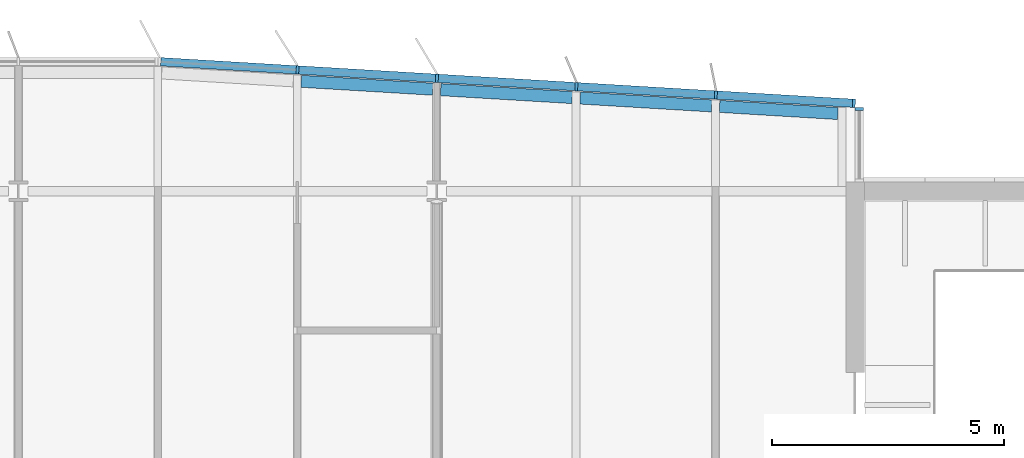
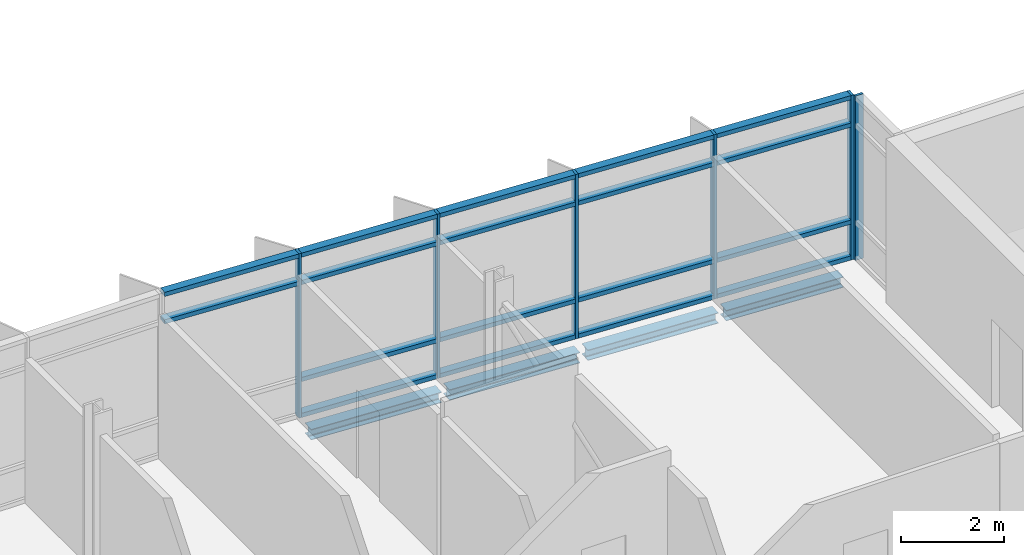
# One storey, part 9 of 18: 24 members, 4 beams, 2 elements without a shape of their own.
"""IFC4 building model written with IfcOpenShell, lengths in metres."""

from ifc_helpers import new_model, si_unit, direction, frame, origin, origin_2d, place, context, subcontext, project, spatial, rectangle, i_section, extrude, material, material_profile, profile_set, type_object, element, aggregate, save


model = new_model("IFC4")

# Units and contexts
model_context = context("Model", 3, precision=1e-05, world=origin(), true_north=direction((0.0, 1.0)))
body_context = subcontext(model_context, "Body", "Model", "MODEL_VIEW")
ifc_project = project(units=[si_unit("LENGTHUNIT", "METRE"), si_unit("AREAUNIT", "SQUARE_METRE"), si_unit("VOLUMEUNIT", "CUBIC_METRE"), si_unit("PLANEANGLEUNIT", "RADIAN"), si_unit("MASSUNIT", "GRAM", prefix="KILO")], contexts=[model_context])

# Site, building, storey
site_placement = place(None, origin())
site = spatial("IfcSite", under=ifc_project, at=site_placement, CompositionType="ELEMENT")
building_placement = place(site_placement, origin())
building = spatial("IfcBuilding", under=site, at=building_placement, Name="Azimuth Sports and Learning Centre", CompositionType="ELEMENT")
storey_placement = place(building_placement, frame((0.0, 0.0, 59.699951171875)))
storey = spatial("IfcBuildingStorey", under=building, at=storey_placement, Name="L13", CompositionType="ELEMENT", Elevation=59.699951171875)

# Beams
ifc_material_1 = material(Name="Steel S355", Category="steel")
ifc_material_profile_1 = material_profile(ifc_material_1, i_section(OverallWidth=0.260009765625, OverallDepth=0.25, WebThickness=0.007568359375, FlangeThickness=0.012451171875, FilletRadius=0.02392578125, at=origin_2d()), Name="HEA 260")
ifc_profile_set_1 = profile_set([ifc_material_profile_1], Name="Steel S355")
beam_type = type_object("IfcBeamType", Name="Edge beam HEA 260", PredefinedType="SPANDREL", material=ifc_profile_set_1)
for number, where, z_axis, x_axis, name in (
    (1, (96.0849609375, 119.364990234375, -0.2548828125), (0.998202373506, -0.059933475842, 0.0), (0.059933475842, 0.998202373506, 0.0), "Tower edge beam"),
    (2, (99.0849609375, 119.184814453125, -0.2548828125), (0.998207521518, -0.059847673176, 0.0), (0.059847673176, 0.998207521518, 0.0), "Tower edge beam"),
    (3, (102.0849609375, 119.0048828125, -0.2548828125), (0.998207521518, -0.059847673176, 0.0), (0.059847673176, 0.998207521518, 0.0), "Tower edge beam"),
):
    element("IfcBeam", number, at=place(storey_placement, frame(where, z_axis=z_axis, x_axis=x_axis)), inside=storey, type_object=beam_type, Name=name, PredefinedType="SPANDREL", context=body_context, shape_type="SweptSolid", body=[
        extrude(i_section(OverallWidth=0.260009765625, OverallDepth=0.25, WebThickness=0.007568359375, FlangeThickness=0.012451171875, FilletRadius=0.02392578125, at=origin_2d()), origin(), (0.0, 0.0, 1.0), 2.835205078125),
    ])
beam_placement = place(storey_placement, frame((105.0849609375, 118.824951171875, -0.2548828125), z_axis=(0.998201638043, -0.05994572385, 0.0), x_axis=(0.05994572385, 0.998201638043, 0.0)))
element("IfcBeam", 4, at=beam_placement, inside=storey, type_object=beam_type, Name="Tower edge beam", PredefinedType="SPANDREL", context=body_context, shape_type="SweptSolid", body=[
    extrude(i_section(OverallWidth=0.260009765625, OverallDepth=0.25, WebThickness=0.007568359375, FlangeThickness=0.012451171875, FilletRadius=0.02392578125, at=origin_2d()), origin(), (0.0, 0.0, 1.0), 2.549560546875),
])

# Curtain wall, member
ifc_material_2 = material(Name="Aluminium and glass", Category="aluminium")
curtain_wall_type_1 = type_object("IfcCurtainWallType", Name="Curtain wall tower return 180", PredefinedType="NOTDEFINED", material=ifc_material_2)
curtain_wall_1_placement = place(storey_placement, origin())
curtain_wall_1 = element("IfcCurtainWall", 5, at=curtain_wall_1_placement, inside=storey, type_object=curtain_wall_type_1, Name="Curtain wall CW13-006", PredefinedType="NOTDEFINED")
ifc_material_3 = material(Name="Aluminium", Category="aluminium")
ifc_material_profile_2 = material_profile(ifc_material_3, rectangle(XDim=0.179931640625, YDim=0.06005859375, at=origin_2d()), Name="Mullion 60x180")
ifc_profile_set_2 = profile_set([ifc_material_profile_2], Name="Aluminium")
member_type_1 = type_object("IfcMemberType", Name="Mullion 60x180", PredefinedType="MULLION", material=ifc_profile_set_2)
member_1_placement = place(storey_placement, frame((108.090087890625, 118.77001953125, 0.0), z_axis=(0.0, 0.0, 1.0), x_axis=(-1.0, 0.0, 0.0)))
member_1 = element("IfcMember", 6, at=member_1_placement, type_object=member_type_1, Name="CW13-006 mullion 2", PredefinedType="MULLION", context=body_context, shape_type="SweptSolid", body=[
    extrude(rectangle(XDim=0.179931640625, YDim=0.06005859375, at=origin_2d()), origin(), (0.0, 0.0, 1.0), 3.900146484375),
])
aggregate(curtain_wall_1, [member_1])

# Curtain wall, members
ifc_material_4 = material(Name="Aluminium and glass", Category="aluminium")
curtain_wall_type_2 = type_object("IfcCurtainWallType", Name="Curtain wall tower north 180", PredefinedType="NOTDEFINED", material=ifc_material_4)
curtain_wall_2_placement = place(storey_placement, origin())
curtain_wall_2 = element("IfcCurtainWall", 7, at=curtain_wall_2_placement, inside=storey, type_object=curtain_wall_type_2, Name="Curtain wall CW13-007", PredefinedType="NOTDEFINED")
member_2_placement = place(storey_placement, frame((107.975341796875, 118.8916015625, 0.0), z_axis=(0.0, 0.0, 1.0), x_axis=(-0.059891991812, -0.998204863401, 0.0)))
member_2 = element("IfcMember", 8, at=member_2_placement, type_object=member_type_1, Name="CW13-007 mullion 1", PredefinedType="MULLION", context=body_context, shape_type="SweptSolid", body=[
    extrude(rectangle(XDim=0.179931640625, YDim=0.06005859375, at=origin_2d()), origin(), (0.0, 0.0, 1.0), 3.900146484375),
])
member_3_placement = place(storey_placement, frame((105.00537109375, 119.06982421875, 0.0), z_axis=(0.0, 0.0, 1.0), x_axis=(-0.059891991812, -0.998204863401, 0.0)))
member_3 = element("IfcMember", 9, at=member_3_placement, type_object=member_type_1, Name="CW13-007 mullion 2", PredefinedType="MULLION", context=body_context, shape_type="SweptSolid", body=[
    extrude(rectangle(XDim=0.179931640625, YDim=0.06005859375, at=origin_2d()), origin(), (0.0, 0.0, 1.0), 3.900146484375),
])
member_4_placement = place(storey_placement, frame((102.00537109375, 119.249755859375, 0.0), z_axis=(0.0, 0.0, 1.0), x_axis=(-0.059891991812, -0.998204863401, 0.0)))
member_4 = element("IfcMember", 10, at=member_4_placement, type_object=member_type_1, Name="CW13-007 mullion 3", PredefinedType="MULLION", context=body_context, shape_type="SweptSolid", body=[
    extrude(rectangle(XDim=0.179931640625, YDim=0.06005859375, at=origin_2d()), origin(), (0.0, 0.0, 1.0), 3.900146484375),
])
member_5_placement = place(storey_placement, frame((99.00537109375, 119.429931640625, 0.0), z_axis=(0.0, 0.0, 1.0), x_axis=(-0.059891991812, -0.998204863401, 0.0)))
member_5 = element("IfcMember", 11, at=member_5_placement, type_object=member_type_1, Name="CW13-007 mullion 4", PredefinedType="MULLION", context=body_context, shape_type="SweptSolid", body=[
    extrude(rectangle(XDim=0.179931640625, YDim=0.06005859375, at=origin_2d()), origin(), (0.0, 0.0, 1.0), 3.900146484375),
])
member_6_placement = place(storey_placement, frame((96.00537109375, 119.60986328125, 0.0), z_axis=(0.0, 0.0, 1.0), x_axis=(-0.059891991812, -0.998204863401, 0.0)))
member_6 = element("IfcMember", 12, at=member_6_placement, type_object=member_type_1, Name="CW13-007 mullion 5", PredefinedType="MULLION", context=body_context, shape_type="SweptSolid", body=[
    extrude(rectangle(XDim=0.179931640625, YDim=0.06005859375, at=origin_2d()), origin(), (0.0, 0.0, 1.0), 3.900146484375),
])
ifc_material_5 = material(Name="Aluminium", Category="aluminium")
ifc_material_profile_3 = material_profile(ifc_material_5, rectangle(XDim=0.179931640625, YDim=0.10009765625, at=origin_2d()), Name="Transom 100x180")
ifc_profile_set_3 = profile_set([ifc_material_profile_3], Name="Aluminium")
member_type_2 = type_object("IfcMemberType", Name="Transom 100x180", PredefinedType="USERDEFINED", material=ifc_profile_set_3)
member_7_placement = place(storey_placement, frame((107.945556640625, 118.893310546875, 0.050048828125), z_axis=(-0.998200838052, 0.059959043628, 0.0), x_axis=(-0.059959043628, -0.998200838052, 0.0)))
member_7 = element("IfcMember", 13, at=member_7_placement, type_object=member_type_2, Name="CW13-007 transom 1.1", ObjectType="TRANSOM", PredefinedType="USERDEFINED", context=body_context, shape_type="SweptSolid", body=[
    extrude(rectangle(XDim=0.179931640625, YDim=0.10009765625, at=origin_2d()), origin(), (0.0, 0.0, 1.0), 2.915283203125),
])
member_8_placement = place(storey_placement, frame((107.945556640625, 118.893310546875, 0.900146484375), z_axis=(-0.998200838052, 0.059959043628, 0.0), x_axis=(-0.059959043628, -0.998200838052, 0.0)))
member_8 = element("IfcMember", 14, at=member_8_placement, type_object=member_type_2, Name="CW13-007 transom 1.2", ObjectType="TRANSOM", PredefinedType="USERDEFINED", context=body_context, shape_type="SweptSolid", body=[
    extrude(rectangle(XDim=0.179931640625, YDim=0.10009765625, at=origin_2d()), origin(), (0.0, 0.0, 1.0), 2.915283203125),
])
member_9_placement = place(storey_placement, frame((107.945556640625, 118.893310546875, 3.199951171875), z_axis=(-0.998200838052, 0.059959043628, 0.0), x_axis=(-0.059959043628, -0.998200838052, 0.0)))
member_9 = element("IfcMember", 15, at=member_9_placement, type_object=member_type_2, Name="CW13-007 transom 1.3", ObjectType="TRANSOM", PredefinedType="USERDEFINED", context=body_context, shape_type="SweptSolid", body=[
    extrude(rectangle(XDim=0.179931640625, YDim=0.10009765625, at=origin_2d()), origin(), (0.0, 0.0, 1.0), 2.915283203125),
])
member_10_placement = place(storey_placement, frame((107.945556640625, 118.893310546875, 3.85009765625), z_axis=(-0.998200838052, 0.059959043628, 0.0), x_axis=(-0.059959043628, -0.998200838052, 0.0)))
member_10 = element("IfcMember", 16, at=member_10_placement, type_object=member_type_2, Name="CW13-007 transom 1.4", ObjectType="TRANSOM", PredefinedType="USERDEFINED", context=body_context, shape_type="SweptSolid", body=[
    extrude(rectangle(XDim=0.179931640625, YDim=0.10009765625, at=origin_2d()), origin(), (0.0, 0.0, 1.0), 2.915283203125),
])
member_11_placement = place(storey_placement, frame((104.975341796875, 119.071533203125, 0.050048828125), z_axis=(-0.998202465912, 0.059931936792, 0.0), x_axis=(-0.059931936792, -0.998202465912, 0.0)))
member_11 = element("IfcMember", 17, at=member_11_placement, type_object=member_type_2, Name="CW13-007 transom 2.1", ObjectType="TRANSOM", PredefinedType="USERDEFINED", context=body_context, shape_type="SweptSolid", body=[
    extrude(rectangle(XDim=0.179931640625, YDim=0.10009765625, at=origin_2d()), origin(), (0.0, 0.0, 1.0), 2.9453125),
])
member_12_placement = place(storey_placement, frame((104.975341796875, 119.071533203125, 0.900146484375), z_axis=(-0.998202465912, 0.059931936792, 0.0), x_axis=(-0.059931936792, -0.998202465912, 0.0)))
member_12 = element("IfcMember", 18, at=member_12_placement, type_object=member_type_2, Name="CW13-007 transom 2.2", ObjectType="TRANSOM", PredefinedType="USERDEFINED", context=body_context, shape_type="SweptSolid", body=[
    extrude(rectangle(XDim=0.179931640625, YDim=0.10009765625, at=origin_2d()), origin(), (0.0, 0.0, 1.0), 2.9453125),
])
member_13_placement = place(storey_placement, frame((104.975341796875, 119.071533203125, 3.199951171875), z_axis=(-0.998202465912, 0.059931936792, 0.0), x_axis=(-0.059931936792, -0.998202465912, 0.0)))
member_13 = element("IfcMember", 19, at=member_13_placement, type_object=member_type_2, Name="CW13-007 transom 2.3", ObjectType="TRANSOM", PredefinedType="USERDEFINED", context=body_context, shape_type="SweptSolid", body=[
    extrude(rectangle(XDim=0.179931640625, YDim=0.10009765625, at=origin_2d()), origin(), (0.0, 0.0, 1.0), 2.9453125),
])
member_14_placement = place(storey_placement, frame((104.975341796875, 119.071533203125, 3.85009765625), z_axis=(-0.998202465912, 0.059931936792, 0.0), x_axis=(-0.059931936792, -0.998202465912, 0.0)))
member_14 = element("IfcMember", 20, at=member_14_placement, type_object=member_type_2, Name="CW13-007 transom 2.4", ObjectType="TRANSOM", PredefinedType="USERDEFINED", context=body_context, shape_type="SweptSolid", body=[
    extrude(rectangle(XDim=0.179931640625, YDim=0.10009765625, at=origin_2d()), origin(), (0.0, 0.0, 1.0), 2.9453125),
])
member_15_placement = place(storey_placement, frame((101.975341796875, 119.251708984375, 0.050048828125), z_axis=(-0.998207421552, 0.059849340505, 0.0), x_axis=(-0.059849340505, -0.998207421552, 0.0)))
member_15 = element("IfcMember", 21, at=member_15_placement, type_object=member_type_2, Name="CW13-007 transom 3.1", ObjectType="TRANSOM", PredefinedType="USERDEFINED", context=body_context, shape_type="SweptSolid", body=[
    extrude(rectangle(XDim=0.179931640625, YDim=0.10009765625, at=origin_2d()), origin(), (0.0, 0.0, 1.0), 2.9453125),
])
member_16_placement = place(storey_placement, frame((101.975341796875, 119.251708984375, 0.900146484375), z_axis=(-0.998207421552, 0.059849340505, 0.0), x_axis=(-0.059849340505, -0.998207421552, 0.0)))
member_16 = element("IfcMember", 22, at=member_16_placement, type_object=member_type_2, Name="CW13-007 transom 3.2", ObjectType="TRANSOM", PredefinedType="USERDEFINED", context=body_context, shape_type="SweptSolid", body=[
    extrude(rectangle(XDim=0.179931640625, YDim=0.10009765625, at=origin_2d()), origin(), (0.0, 0.0, 1.0), 2.9453125),
])
member_17_placement = place(storey_placement, frame((101.975341796875, 119.251708984375, 3.199951171875), z_axis=(-0.998207421552, 0.059849340505, 0.0), x_axis=(-0.059849340505, -0.998207421552, 0.0)))
member_17 = element("IfcMember", 23, at=member_17_placement, type_object=member_type_2, Name="CW13-007 transom 3.3", ObjectType="TRANSOM", PredefinedType="USERDEFINED", context=body_context, shape_type="SweptSolid", body=[
    extrude(rectangle(XDim=0.179931640625, YDim=0.10009765625, at=origin_2d()), origin(), (0.0, 0.0, 1.0), 2.9453125),
])
member_18_placement = place(storey_placement, frame((101.975341796875, 119.251708984375, 3.85009765625), z_axis=(-0.998207421552, 0.059849340505, 0.0), x_axis=(-0.059849340505, -0.998207421552, 0.0)))
member_18 = element("IfcMember", 24, at=member_18_placement, type_object=member_type_2, Name="CW13-007 transom 3.4", ObjectType="TRANSOM", PredefinedType="USERDEFINED", context=body_context, shape_type="SweptSolid", body=[
    extrude(rectangle(XDim=0.179931640625, YDim=0.10009765625, at=origin_2d()), origin(), (0.0, 0.0, 1.0), 2.9453125),
])
member_19_placement = place(storey_placement, frame((98.975341796875, 119.431640625, 0.050048828125), z_axis=(-0.998202465912, 0.059931936792, 0.0), x_axis=(-0.059931936792, -0.998202465912, 0.0)))
member_19 = element("IfcMember", 25, at=member_19_placement, type_object=member_type_2, Name="CW13-007 transom 4.1", ObjectType="TRANSOM", PredefinedType="USERDEFINED", context=body_context, shape_type="SweptSolid", body=[
    extrude(rectangle(XDim=0.179931640625, YDim=0.10009765625, at=origin_2d()), origin(), (0.0, 0.0, 1.0), 2.9453125),
])
member_20_placement = place(storey_placement, frame((98.975341796875, 119.431640625, 0.900146484375), z_axis=(-0.998202465912, 0.059931936792, 0.0), x_axis=(-0.059931936792, -0.998202465912, 0.0)))
member_20 = element("IfcMember", 26, at=member_20_placement, type_object=member_type_2, Name="CW13-007 transom 4.2", ObjectType="TRANSOM", PredefinedType="USERDEFINED", context=body_context, shape_type="SweptSolid", body=[
    extrude(rectangle(XDim=0.179931640625, YDim=0.10009765625, at=origin_2d()), origin(), (0.0, 0.0, 1.0), 2.9453125),
])
member_21_placement = place(storey_placement, frame((98.975341796875, 119.431640625, 3.199951171875), z_axis=(-0.998202465912, 0.059931936792, 0.0), x_axis=(-0.059931936792, -0.998202465912, 0.0)))
member_21 = element("IfcMember", 27, at=member_21_placement, type_object=member_type_2, Name="CW13-007 transom 4.3", ObjectType="TRANSOM", PredefinedType="USERDEFINED", context=body_context, shape_type="SweptSolid", body=[
    extrude(rectangle(XDim=0.179931640625, YDim=0.10009765625, at=origin_2d()), origin(), (0.0, 0.0, 1.0), 2.9453125),
])
member_22_placement = place(storey_placement, frame((98.975341796875, 119.431640625, 3.85009765625), z_axis=(-0.998202465912, 0.059931936792, 0.0), x_axis=(-0.059931936792, -0.998202465912, 0.0)))
member_22 = element("IfcMember", 28, at=member_22_placement, type_object=member_type_2, Name="CW13-007 transom 4.4", ObjectType="TRANSOM", PredefinedType="USERDEFINED", context=body_context, shape_type="SweptSolid", body=[
    extrude(rectangle(XDim=0.179931640625, YDim=0.10009765625, at=origin_2d()), origin(), (0.0, 0.0, 1.0), 2.9453125),
])
member_23_placement = place(storey_placement, frame((95.975341796875, 119.611572265625, 3.199951171875), z_axis=(-0.998205846627, 0.059875602377, 0.0), x_axis=(-0.059875602377, -0.998205846627, 0.0)))
member_23 = element("IfcMember", 29, at=member_23_placement, type_object=member_type_2, Name="CW13-007 transom 5.3", ObjectType="TRANSOM", PredefinedType="USERDEFINED", context=body_context, shape_type="SweptSolid", body=[
    extrude(rectangle(XDim=0.179931640625, YDim=0.10009765625, at=origin_2d()), origin(), (0.0, 0.0, 1.0), 2.915283203125),
])
member_24_placement = place(storey_placement, frame((95.975341796875, 119.611572265625, 3.85009765625), z_axis=(-0.998205846627, 0.059875602377, 0.0), x_axis=(-0.059875602377, -0.998205846627, 0.0)))
member_24 = element("IfcMember", 30, at=member_24_placement, type_object=member_type_2, Name="CW13-007 transom 5.4", ObjectType="TRANSOM", PredefinedType="USERDEFINED", context=body_context, shape_type="SweptSolid", body=[
    extrude(rectangle(XDim=0.179931640625, YDim=0.10009765625, at=origin_2d()), origin(), (0.0, 0.0, 1.0), 2.915283203125),
])
aggregate(curtain_wall_2, [member_2, member_3, member_4, member_5, member_6, member_7, member_8, member_9, member_10, member_11, member_12, member_13, member_14, member_15, member_16, member_17, member_18, member_19, member_20, member_21, member_22, member_23, member_24])

save(model, "model.ifc")
